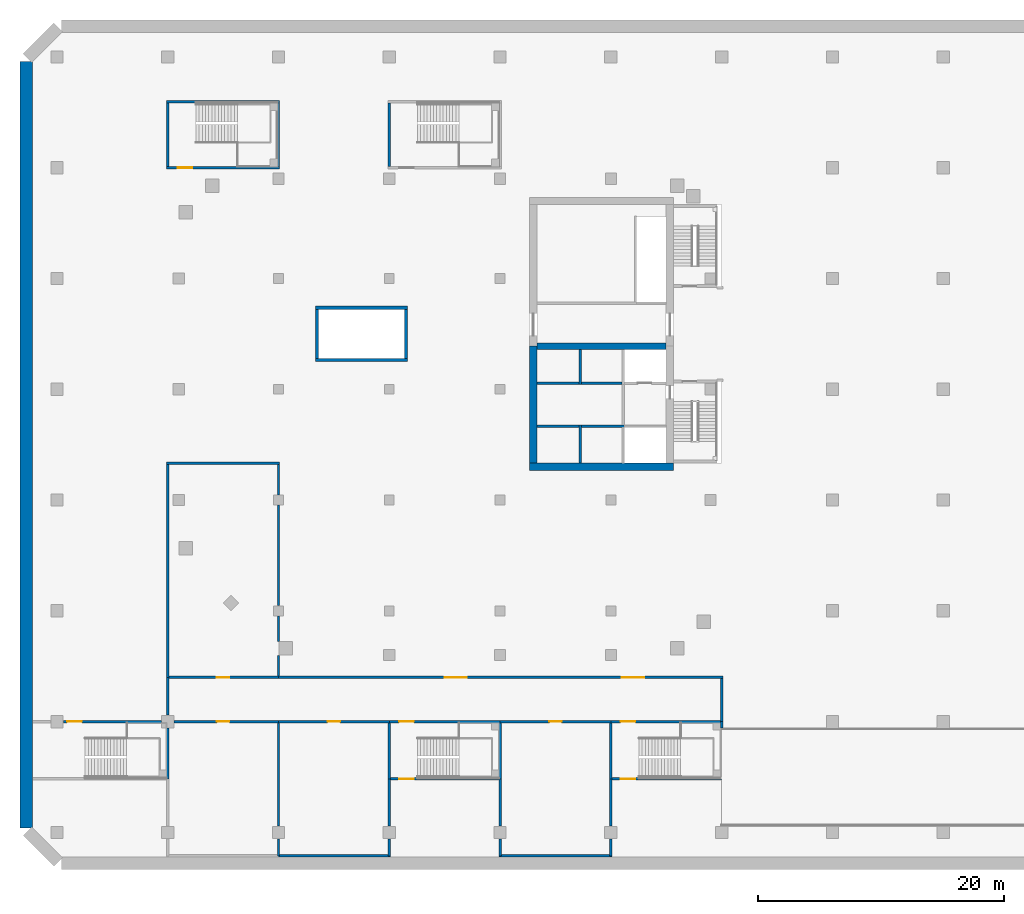
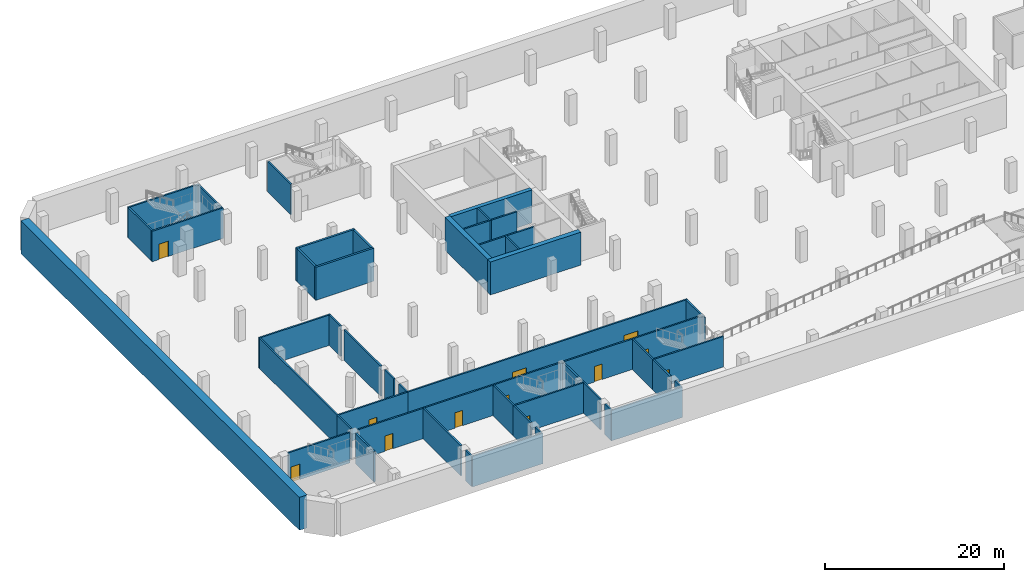
# One storey, part 4 of 16: 52 walls, 12 doors, 12 openings.
"""IFC4 building model written with IfcOpenShell, lengths in metres."""

import ifcopenshell
import ifcopenshell.guid

model = None  # the IFC model being written
_history = None  # IfcOwnerHistory: only IFC2X3 demands one
_inside = {}  # id of a spatial element -> (the spatial element, [elements in it])
_under = {}  # id of a project, library or spatial element -> (it, [spatial elements below it])
_declared = {}  # id of a project -> (the project, [libraries it declares])
_typed = {}  # id of a type object -> (the type object, [elements of that type])
_made_of = {}  # id of a material, layer set ... -> (it, [elements and type objects made of it])


def new_model(schema):
    """Start an empty IFC model of exactly this schema.

    Asked for "IFC4X3", IfcOpenShell would pick the latest addendum, in which some entities
    have other attributes; the version numbers below select the first issue.
    IFC2X3 requires an IfcOwnerHistory on every rooted entity: one is made here for all.
    """
    global model, _history
    if schema == "IFC4X3":
        model = ifcopenshell.file(schema_version=(4, 3, 0, 0))
    else:
        model = ifcopenshell.file(schema=schema)
    _inside.clear()
    _under.clear()
    _declared.clear()
    _typed.clear()
    _made_of.clear()
    _history = None
    if model.schema == "IFC2X3":
        org = make("IfcOrganization", Name="unknown")
        user = make(
            "IfcPersonAndOrganization",
            ThePerson=make("IfcPerson", FamilyName="unknown"),
            TheOrganization=org,
        )
        app = make(
            "IfcApplication",
            ApplicationDeveloper=org,
            Version="unknown",
            ApplicationFullName="unknown",
            ApplicationIdentifier="unknown",
        )
        _history = make(
            "IfcOwnerHistory",
            OwningUser=user,
            OwningApplication=app,
            ChangeAction="ADDED",
            CreationDate=0,
        )
    return model


def make(cls, **values):
    """One entity of the class cls with the attributes given. An attribute that is None is left unset."""
    return model.create_entity(
        cls, **{name: value for name, value in values.items() if value is not None}
    )


def rooted(cls, **values):
    """An entity with a GlobalId (a new one), such as an element, a storey or a relation."""
    return make(cls, GlobalId=ifcopenshell.guid.new(), OwnerHistory=_history, **values)


def si_unit(unit_type, name, prefix=None):
    """IfcSIUnit, for example si_unit("LENGTHUNIT", "METRE", prefix="MILLI")."""
    return make("IfcSIUnit", UnitType=unit_type, Prefix=prefix, Name=name)


def assignment(units):
    """IfcUnitAssignment: the units of a project."""
    return None if units is None else make("IfcUnitAssignment", Units=units)


def point(xyz):
    """IfcCartesianPoint."""
    return None if xyz is None else make("IfcCartesianPoint", Coordinates=xyz)


def direction(xyz):
    """IfcDirection."""
    return None if xyz is None else make("IfcDirection", DirectionRatios=xyz)


def frame(location, z_axis=None, x_axis=None):
    """IfcAxis2Placement3D, a coordinate frame: its origin and axes. An axis left out is left unset."""
    return make(
        "IfcAxis2Placement3D",
        Location=point(location),
        Axis=direction(z_axis),
        RefDirection=direction(x_axis),
    )


def frame_2d(location, x_axis=None):
    """IfcAxis2Placement2D, a coordinate frame in the plane: its origin and x axis."""
    return make(
        "IfcAxis2Placement2D", Location=point(location), RefDirection=direction(x_axis)
    )


def origin():
    """The frame at (0, 0, 0) with its axes left unset."""
    return frame((0.0, 0.0, 0.0))


def place(relative_to, where):
    """IfcLocalPlacement: puts the frame where relative to a parent placement (None: the world)."""
    return make(
        "IfcLocalPlacement", PlacementRelTo=relative_to, RelativePlacement=where
    )


def context(
    kind, dimensions, precision=None, world=None, true_north=None, identifier=None
):
    """IfcGeometricRepresentationContext, for example the 3D "Model" context."""
    return make(
        "IfcGeometricRepresentationContext",
        ContextIdentifier=identifier,
        ContextType=kind,
        CoordinateSpaceDimension=dimensions,
        Precision=precision,
        WorldCoordinateSystem=world,
        TrueNorth=true_north,
    )


def subcontext(parent, identifier, kind, view, scale=None):
    """IfcGeometricRepresentationSubContext, for example "Body" below "Model"."""
    return make(
        "IfcGeometricRepresentationSubContext",
        ContextIdentifier=identifier,
        ContextType=kind,
        ParentContext=parent,
        TargetScale=scale,
        TargetView=view,
    )


def project(units=None, contexts=None):
    """IfcProject with its units and contexts."""
    return rooted(
        "IfcProject",
        Name="project",
        RepresentationContexts=contexts,
        UnitsInContext=assignment(units),
    )


def spatial(cls, under=None, at=None, **own):
    """A site, building, storey or space (cls), placed at a placement, below another one or the project."""
    s = rooted(cls, ObjectPlacement=at, **own)
    if under is not None:
        _under.setdefault(under.id(), (under, []))[1].append(s)
    return s


def profile(cls, at=None, kind="AREA", **sizes):
    """A parametric profile (cls). Its sizes go by their IFC names, for example OverallWidth=200.0."""
    return make(cls, ProfileType=kind, Position=at, **sizes)


def rectangle(**sizes):
    """IfcRectangleProfileDef."""
    return profile("IfcRectangleProfileDef", **sizes)


def extrude(swept, where, along, depth):
    """IfcExtrudedAreaSolid: the profile swept, set in the frame where, extruded along a direction by depth."""
    return make(
        "IfcExtrudedAreaSolid",
        SweptArea=swept,
        Position=where,
        ExtrudedDirection=direction(along),
        Depth=depth,
    )


def shape(context_of_items, identifier, shape_type, items):
    """IfcShapeRepresentation: the items that make up one representation, for example the "Body"."""
    return make(
        "IfcShapeRepresentation",
        ContextOfItems=context_of_items,
        RepresentationIdentifier=identifier,
        RepresentationType=shape_type,
        Items=items,
    )


def material(Name=None, Category=None):
    """IfcMaterial."""
    return make("IfcMaterial", Name=Name, Category=Category)


def layer(
    of_material, thickness, ventilated=None, Name=None, Category=None, Priority=None
):
    """IfcMaterialLayer: one layer of a wall or slab, of a material (None: an air gap)."""
    return make(
        "IfcMaterialLayer",
        Material=of_material,
        LayerThickness=thickness,
        IsVentilated=ventilated,
        Name=Name,
        Category=Category,
        Priority=Priority,
    )


def layer_set(layers, Name=None):
    """IfcMaterialLayerSet."""
    return make("IfcMaterialLayerSet", MaterialLayers=layers, LayerSetName=Name)


def made_of(thing, what):
    """Note that an element or type object is made of a material, layer set ...; save() writes the relation."""
    if what is not None:
        _made_of.setdefault(what.id(), (what, []))[1].append(thing)
    return thing


def type_object(cls, material=None, **own):
    """A type object (cls), such as IfcWallType, which elements share."""
    return made_of(rooted(cls, **own), material)


def element(
    cls,
    number,
    at=None,
    inside=None,
    cuts=None,
    type_object=None,
    material=None,
    context=None,
    identifier="Body",
    shape_type=None,
    held_by="IfcProductDefinitionShape",
    body=None,
    shapes=None,
    **own,
):
    """One element of the class cls, such as IfcWall. Its Tag is "e" and its number.

    at: its placement. inside: the storey or other place that contains it. cuts: it is an
    opening in that element (IfcRelVoidsElement). A single representation is given by context,
    identifier, shape_type and body (its items); several are given by shapes. held_by: the class
    of the entity that holds the representations. save() writes the other relations.
    """
    e = rooted(cls, Tag="e%d" % number, ObjectPlacement=at, **own)
    if body is not None:
        shapes = [shape(context, identifier, shape_type, body)]
    if shapes is not None:
        e.Representation = make(held_by, Representations=shapes)
    if inside is not None:
        _inside.setdefault(inside.id(), (inside, []))[1].append(e)
    if cuts is not None:
        rooted(
            "IfcRelVoidsElement", RelatingBuildingElement=cuts, RelatedOpeningElement=e
        )
    if type_object is not None:
        _typed.setdefault(type_object.id(), (type_object, []))[1].append(e)
    return made_of(e, material)


def fill(opening, filler):
    """IfcRelFillsElement: the door or window that sits in an opening."""
    return rooted(
        "IfcRelFillsElement",
        RelatingOpeningElement=opening,
        RelatedBuildingElement=filler,
    )


def aggregate(whole, parts):
    """IfcRelAggregates: a whole, such as a stair, and the parts it consists of."""
    return rooted("IfcRelAggregates", RelatingObject=whole, RelatedObjects=parts)


def save(model, path):
    """Write the relations noted so far, then the file.

    IfcRelAggregates (storeys below a building ...), IfcRelContainedInSpatialStructure (elements
    in a storey), IfcRelDefinesByType, IfcRelAssociatesMaterial and IfcRelDeclares: one each for
    every whole, place, type object, material and project.
    """
    for whole, parts in _under.values():
        aggregate(whole, parts)
    for where, things in _inside.values():
        rooted(
            "IfcRelContainedInSpatialStructure",
            RelatedElements=things,
            RelatingStructure=where,
        )
    for kind, things in _typed.values():
        rooted("IfcRelDefinesByType", RelatedObjects=things, RelatingType=kind)
    for what, things in _made_of.values():
        rooted("IfcRelAssociatesMaterial", RelatedObjects=things, RelatingMaterial=what)
    for by, libraries in _declared.values():
        rooted("IfcRelDeclares", RelatingContext=by, RelatedDefinitions=libraries)
    model.write(path)


model = new_model("IFC4")

# Units and contexts
model_context = context("Model", 3, precision=1e-05, world=origin(), true_north=direction((0.0, 1.0)))
body_context = subcontext(model_context, "Body", "Model", "MODEL_VIEW")
ifc_project = project(units=[si_unit("LENGTHUNIT", "METRE"), si_unit("AREAUNIT", "SQUARE_METRE"), si_unit("VOLUMEUNIT", "CUBIC_METRE"), si_unit("PLANEANGLEUNIT", "RADIAN"), si_unit("MASSUNIT", "GRAM", prefix="KILO")], contexts=[model_context])

# Site, building, storey
site_placement = place(None, origin())
site = spatial("IfcSite", under=ifc_project, at=site_placement, CompositionType="ELEMENT")
building_placement = place(site_placement, origin())
building = spatial("IfcBuilding", under=site, at=building_placement, Name="Cinnabar Reach Civic Tower", CompositionType="ELEMENT")
storey_placement = place(building_placement, frame((0.0, 0.0, -9.5)))
storey = spatial("IfcBuildingStorey", under=building, at=storey_placement, Name="B2", CompositionType="ELEMENT", Elevation=-9.5)

# Walls
ifc_material_1 = material(Name="Concrete C70", Category="concrete")
ifc_layer_1 = layer(ifc_material_1, 1.0)
ifc_layer_set_1 = layer_set([ifc_layer_1], Name="Basement wall 1000 EI 180")
wall_type_1 = type_object("IfcWallType", Name="Basement wall 1000 EI 180", PredefinedType="SOLIDWALL", material=ifc_layer_set_1)
wall_1_placement = place(storey_placement, frame((-83.5, -8.6408, 0.0), z_axis=(0.0, 0.0, 1.0), x_axis=(0.0, 1.0, 0.0)))
element("IfcWall", 1, at=wall_1_placement, inside=storey, type_object=wall_type_1, Name="Basement wall B2 2", PredefinedType="SOLIDWALL", context=body_context, shape_type="SweptSolid", body=[
    extrude(rectangle(XDim=62.2816, YDim=1.0, at=frame_2d((31.1408, 0.0))), origin(), (0.0, 0.0, 1.0), 4.5),
])
ifc_material_2 = material(Name="Concrete C60", Category="concrete")
ifc_layer_2 = layer(ifc_material_2, 0.5)
ifc_layer_set_2 = layer_set([ifc_layer_2], Name="Core wall 500 EI 180")
wall_type_2 = type_object("IfcWallType", Name="Core wall 500 EI 180", PredefinedType="SOLIDWALL", material=ifc_layer_set_2)
wall_2_placement = place(storey_placement, frame((-42.0, 30.5, 0.0), z_axis=(0.0, 0.0, 1.0), x_axis=(1.0, 0.0, 0.0)))
element("IfcWall", 2, at=wall_2_placement, inside=storey, type_object=wall_type_2, Name="Core spine wall T2 B2", PredefinedType="SOLIDWALL", context=body_context, shape_type="SweptSolid", body=[
    extrude(rectangle(XDim=10.5, YDim=0.5, at=frame_2d((5.25, 0.0))), origin(), (0.0, 0.0, 1.0), 4.5),
])
ifc_layer_3 = layer(ifc_material_1, 0.6)
ifc_layer_set_3 = layer_set([ifc_layer_3], Name="Core wall 600 EI 180")
wall_type_3 = type_object("IfcWallType", Name="Core wall 600 EI 180", PredefinedType="SOLIDWALL", material=ifc_layer_set_3)
wall_3_placement = place(storey_placement, frame((-42.6, 20.7, 0.0), z_axis=(0.0, 0.0, 1.0), x_axis=(1.0, 0.0, 0.0)))
element("IfcWall", 3, at=wall_3_placement, inside=storey, type_object=wall_type_3, Name="Core wall T2 B2 S", PredefinedType="SOLIDWALL", context=body_context, shape_type="SweptSolid", body=[
    extrude(rectangle(XDim=11.7, YDim=0.6, at=frame_2d((5.85, 0.0))), origin(), (0.0, 0.0, 1.0), 4.5),
])
wall_4_placement = place(storey_placement, frame((-42.3, 30.5, 0.0), z_axis=(0.0, 0.0, 1.0), x_axis=(0.0, -1.0, 0.0)))
element("IfcWall", 4, at=wall_4_placement, inside=storey, type_object=wall_type_3, Name="Core wall T2 B2 W2", PredefinedType="SOLIDWALL", context=body_context, shape_type="SweptSolid", body=[
    extrude(rectangle(XDim=9.5, YDim=0.6, at=frame_2d((4.75, 0.0))), origin(), (0.0, 0.0, 1.0), 4.5),
])

# Wall, opening, door
ifc_material_3 = material(Name="Concrete blockwork", Category="masonry")
ifc_layer_4 = layer(ifc_material_3, 0.2)
ifc_layer_set_4 = layer_set([ifc_layer_4], Name="Podium masonry corridor wall 200 EI 120")
wall_type_4 = type_object("IfcWallType", Name="Podium masonry corridor wall 200 EI 120", PredefinedType="PARTITIONING", material=ifc_layer_set_4)
wall_5_placement = place(storey_placement, frame((-71.48, 0.0, 0.0), z_axis=(0.0, 0.0, 1.0), x_axis=(1.0, 0.0, 0.0)))
wall_5 = element("IfcWall", 5, at=wall_5_placement, inside=storey, type_object=wall_type_4, Name="Wall B2 37", PredefinedType="PARTITIONING", context=body_context, shape_type="SweptSolid", body=[
    extrude(rectangle(XDim=8.48, YDim=0.2, at=frame_2d((4.24, 0.0))), origin(), (0.0, 0.0, 1.0), 4.15),
])
opening_1_placement = place(wall_5_placement, frame((3.48, 0.0, 0.0)))
opening_1 = element("IfcOpeningElement", 6, at=opening_1_placement, cuts=wall_5, Name="Opening D1317", PredefinedType="OPENING", context=body_context, shape_type="SweptSolid", body=[
    extrude(rectangle(XDim=1.0, YDim=2.1, at=frame_2d((0.5, 1.05))), frame((0.0, 0.11, 0.0), z_axis=(0.0, -1.0, 0.0), x_axis=(1.0, 0.0, 0.0)), (0.0, 0.0, 1.0), 0.22),
])
ifc_material_4 = material(Name="Painted steel door leaf", Category="steel")
door_type_1 = type_object("IfcDoorType", Name="Podium single door 1000x2100", OperationType="SINGLE_SWING_LEFT", PredefinedType="DOOR", material=ifc_material_4)
door_1_placement = place(opening_1_placement, frame((1.0, 0.0, 0.0), z_axis=(0.0, 0.0, 1.0), x_axis=(-1.0, 0.0, 0.0)))
door_1 = element("IfcDoor", 7, at=door_1_placement, inside=storey, type_object=door_type_1, Name="Door D1317", OperationType="SINGLE_SWING_RIGHT", OverallHeight=2.1, OverallWidth=1.0, PredefinedType="DOOR", context=body_context, shape_type="SweptSolid", body=[
    extrude(rectangle(XDim=1.0, YDim=2.1, at=frame_2d((0.5, 1.05))), frame((0.0, 0.025, 0.0), z_axis=(0.0, -1.0, 0.0), x_axis=(1.0, 0.0, 0.0)), (0.0, 0.0, 1.0), 0.05),
])
fill(opening_1, door_1)

wall_6_placement = place(storey_placement, frame((-63.0, 0.0, 0.0), z_axis=(0.0, 0.0, 1.0), x_axis=(1.0, 0.0, 0.0)))
wall_6 = element("IfcWall", 8, at=wall_6_placement, inside=storey, type_object=wall_type_4, Name="Wall B2 38", PredefinedType="PARTITIONING", context=body_context, shape_type="SweptSolid", body=[
    extrude(rectangle(XDim=9.0, YDim=0.2, at=frame_2d((4.5, 0.0))), origin(), (0.0, 0.0, 1.0), 4.15),
])
opening_2_placement = place(wall_6_placement, frame((4.0, 0.0, 0.0)))
opening_2 = element("IfcOpeningElement", 9, at=opening_2_placement, cuts=wall_6, Name="Opening D1318", PredefinedType="OPENING", context=body_context, shape_type="SweptSolid", body=[
    extrude(rectangle(XDim=1.0, YDim=2.1, at=frame_2d((0.5, 1.05))), frame((0.0, 0.11, 0.0), z_axis=(0.0, -1.0, 0.0), x_axis=(1.0, 0.0, 0.0)), (0.0, 0.0, 1.0), 0.22),
])
door_2_placement = place(opening_2_placement, frame((1.0, 0.0, 0.0), z_axis=(0.0, 0.0, 1.0), x_axis=(-1.0, 0.0, 0.0)))
door_2 = element("IfcDoor", 10, at=door_2_placement, inside=storey, type_object=door_type_1, Name="Door D1318", OperationType="SINGLE_SWING_LEFT", OverallHeight=2.1, OverallWidth=1.0, PredefinedType="DOOR", context=body_context, shape_type="SweptSolid", body=[
    extrude(rectangle(XDim=1.0, YDim=2.1, at=frame_2d((0.5, 1.05))), frame((0.0, 0.025, 0.0), z_axis=(0.0, -1.0, 0.0), x_axis=(1.0, 0.0, 0.0)), (0.0, 0.0, 1.0), 0.05),
])
fill(opening_2, door_2)

wall_7_placement = place(storey_placement, frame((-45.0, 0.0, 0.0), z_axis=(0.0, 0.0, 1.0), x_axis=(1.0, 0.0, 0.0)))
wall_7 = element("IfcWall", 11, at=wall_7_placement, inside=storey, type_object=wall_type_4, Name="Wall B2 39", PredefinedType="PARTITIONING", context=body_context, shape_type="SweptSolid", body=[
    extrude(rectangle(XDim=9.0, YDim=0.2, at=frame_2d((4.5, 0.0))), origin(), (0.0, 0.0, 1.0), 4.15),
])
opening_3_placement = place(wall_7_placement, frame((4.0, 0.0, 0.0)))
opening_3 = element("IfcOpeningElement", 12, at=opening_3_placement, cuts=wall_7, Name="Opening D1319", PredefinedType="OPENING", context=body_context, shape_type="SweptSolid", body=[
    extrude(rectangle(XDim=1.0, YDim=2.1, at=frame_2d((0.5, 1.05))), frame((0.0, 0.11, 0.0), z_axis=(0.0, -1.0, 0.0), x_axis=(1.0, 0.0, 0.0)), (0.0, 0.0, 1.0), 0.22),
])
door_3_placement = place(opening_3_placement, frame((1.0, 0.0, 0.0), z_axis=(0.0, 0.0, 1.0), x_axis=(-1.0, 0.0, 0.0)))
door_3 = element("IfcDoor", 13, at=door_3_placement, inside=storey, type_object=door_type_1, Name="Door D1319", OperationType="SINGLE_SWING_RIGHT", OverallHeight=2.1, OverallWidth=1.0, PredefinedType="DOOR", context=body_context, shape_type="SweptSolid", body=[
    extrude(rectangle(XDim=1.0, YDim=2.1, at=frame_2d((0.5, 1.05))), frame((0.0, 0.025, 0.0), z_axis=(0.0, -1.0, 0.0), x_axis=(1.0, 0.0, 0.0)), (0.0, 0.0, 1.0), 0.05),
])
fill(opening_3, door_3)

wall_8_placement = place(storey_placement, frame((-71.9, 3.6, 0.0), z_axis=(0.0, 0.0, 1.0), x_axis=(1.0, 0.0, 0.0)))
wall_8 = element("IfcWall", 14, at=wall_8_placement, inside=storey, type_object=wall_type_4, Name="Wall B2 40", PredefinedType="PARTITIONING", context=body_context, shape_type="SweptSolid", body=[
    extrude(rectangle(XDim=8.9, YDim=0.2, at=frame_2d((4.45, 0.0))), origin(), (0.0, 0.0, 1.0), 4.15),
])
opening_4_placement = place(wall_8_placement, frame((3.9, 0.0, 0.0)))
opening_4 = element("IfcOpeningElement", 15, at=opening_4_placement, cuts=wall_8, Name="Opening D1320", PredefinedType="OPENING", context=body_context, shape_type="SweptSolid", body=[
    extrude(rectangle(XDim=1.0, YDim=2.1, at=frame_2d((0.5, 1.05))), frame((0.0, 0.11, 0.0), z_axis=(0.0, -1.0, 0.0), x_axis=(1.0, 0.0, 0.0)), (0.0, 0.0, 1.0), 0.22),
])
door_4_placement = place(opening_4_placement, origin())
door_4 = element("IfcDoor", 16, at=door_4_placement, inside=storey, type_object=door_type_1, Name="Door D1320", OperationType="SINGLE_SWING_RIGHT", OverallHeight=2.1, OverallWidth=1.0, PredefinedType="DOOR", context=body_context, shape_type="SweptSolid", body=[
    extrude(rectangle(XDim=1.0, YDim=2.1, at=frame_2d((0.5, 1.05))), frame((0.0, 0.025, 0.0), z_axis=(0.0, -1.0, 0.0), x_axis=(1.0, 0.0, 0.0)), (0.0, 0.0, 1.0), 0.05),
])
fill(opening_4, door_4)

# Wall, openings, doors
wall_9_placement = place(storey_placement, frame((-63.0, 3.6, 0.0), z_axis=(0.0, 0.0, 1.0), x_axis=(1.0, 0.0, 0.0)))
wall_9 = element("IfcWall", 17, at=wall_9_placement, inside=storey, type_object=wall_type_4, Name="Wall B2 41", PredefinedType="PARTITIONING", context=body_context, shape_type="SweptSolid", body=[
    extrude(rectangle(XDim=36.1, YDim=0.2, at=frame_2d((18.05, 0.0))), origin(), (0.0, 0.0, 1.0), 4.15),
])
opening_5_placement = place(wall_9_placement, frame((13.5, 0.0, 0.0)))
opening_5 = element("IfcOpeningElement", 18, at=opening_5_placement, cuts=wall_9, Name="Opening D1313", PredefinedType="OPENING", context=body_context, shape_type="SweptSolid", body=[
    extrude(rectangle(XDim=1.8, YDim=2.1, at=frame_2d((0.9, 1.05))), frame((0.0, 0.11, 0.0), z_axis=(0.0, -1.0, 0.0), x_axis=(1.0, 0.0, 0.0)), (0.0, 0.0, 1.0), 0.22),
])
opening_6_placement = place(wall_9_placement, frame((27.9, 0.0, 0.0)))
opening_6 = element("IfcOpeningElement", 19, at=opening_6_placement, cuts=wall_9, Name="Opening D1314", PredefinedType="OPENING", context=body_context, shape_type="SweptSolid", body=[
    extrude(rectangle(XDim=1.8, YDim=2.1, at=frame_2d((0.9, 1.05))), frame((0.0, 0.11, 0.0), z_axis=(0.0, -1.0, 0.0), x_axis=(1.0, 0.0, 0.0)), (0.0, 0.0, 1.0), 0.22),
])
door_type_2 = type_object("IfcDoorType", Name="Podium double door 1800x2100", OperationType="DOUBLE_DOOR_SINGLE_SWING", PredefinedType="DOOR", material=ifc_material_4)
door_5_placement = place(opening_5_placement, origin())
door_5 = element("IfcDoor", 20, at=door_5_placement, inside=storey, type_object=door_type_2, Name="Door D1313", OperationType="DOUBLE_DOOR_SINGLE_SWING", OverallHeight=2.1, OverallWidth=1.8, PredefinedType="DOOR", context=body_context, shape_type="SweptSolid", body=[
    extrude(rectangle(XDim=1.8, YDim=2.1, at=frame_2d((0.9, 1.05))), frame((0.0, 0.025, 0.0), z_axis=(0.0, -1.0, 0.0), x_axis=(1.0, 0.0, 0.0)), (0.0, 0.0, 1.0), 0.05),
])
fill(opening_5, door_5)
door_6_placement = place(opening_6_placement, origin())
door_6 = element("IfcDoor", 21, at=door_6_placement, inside=storey, type_object=door_type_2, Name="Door D1314", OperationType="DOUBLE_DOOR_SINGLE_SWING", OverallHeight=2.1, OverallWidth=1.8, PredefinedType="DOOR", context=body_context, shape_type="SweptSolid", body=[
    extrude(rectangle(XDim=1.8, YDim=2.1, at=frame_2d((0.9, 1.05))), frame((0.0, 0.025, 0.0), z_axis=(0.0, -1.0, 0.0), x_axis=(1.0, 0.0, 0.0)), (0.0, 0.0, 1.0), 0.05),
])
fill(opening_6, door_6)

# Walls
wall_10_placement = place(storey_placement, frame((-27.0, 0.0, 0.0), z_axis=(0.0, 0.0, 1.0), x_axis=(0.0, 1.0, 0.0)))
element("IfcWall", 22, at=wall_10_placement, inside=storey, type_object=wall_type_4, Name="Wall B2 42", PredefinedType="PARTITIONING", context=body_context, shape_type="SweptSolid", body=[
    extrude(rectangle(XDim=3.5, YDim=0.2, at=frame_2d((1.75, 0.0))), origin(), (0.0, 0.0, 1.0), 4.15),
])
wall_11_placement = place(storey_placement, frame((-72.0, 0.52, 0.0), z_axis=(0.0, 0.0, 1.0), x_axis=(0.0, 1.0, 0.0)))
element("IfcWall", 23, at=wall_11_placement, inside=storey, type_object=wall_type_4, Name="Wall B2 43", PredefinedType="PARTITIONING", context=body_context, shape_type="SweptSolid", body=[
    extrude(rectangle(XDim=3.08, YDim=0.2, at=frame_2d((1.54, 0.0))), origin(), (0.0, 0.0, 1.0), 4.15),
])
wall_12_placement = place(storey_placement, frame((-63.0, -10.9, 0.0), z_axis=(0.0, 0.0, 1.0), x_axis=(0.0, 1.0, 0.0)))
element("IfcWall", 24, at=wall_12_placement, inside=storey, type_object=wall_type_4, Name="Wall B2 44", PredefinedType="PARTITIONING", context=body_context, shape_type="SweptSolid", body=[
    extrude(rectangle(XDim=1.38, YDim=0.2, at=frame_2d((0.69, 0.0))), origin(), (0.0, 0.0, 1.0), 4.15),
])
wall_13_placement = place(storey_placement, frame((-63.0, -8.48, 0.0), z_axis=(0.0, 0.0, 1.0), x_axis=(0.0, 1.0, 0.0)))
element("IfcWall", 25, at=wall_13_placement, inside=storey, type_object=wall_type_4, Name="Wall B2 45", PredefinedType="PARTITIONING", context=body_context, shape_type="SweptSolid", body=[
    extrude(rectangle(XDim=8.38, YDim=0.2, at=frame_2d((4.19, 0.0))), origin(), (0.0, 0.0, 1.0), 4.15),
])
wall_14_placement = place(storey_placement, frame((-54.0, -10.9, 0.0), z_axis=(0.0, 0.0, 1.0), x_axis=(0.0, 1.0, 0.0)))
element("IfcWall", 26, at=wall_14_placement, inside=storey, type_object=wall_type_4, Name="Wall B2 49", PredefinedType="PARTITIONING", context=body_context, shape_type="SweptSolid", body=[
    extrude(rectangle(XDim=1.38, YDim=0.2, at=frame_2d((0.69, 0.0))), origin(), (0.0, 0.0, 1.0), 4.15),
])
wall_15_placement = place(storey_placement, frame((-54.0, -8.48, 0.0), z_axis=(0.0, 0.0, 1.0), x_axis=(0.0, 1.0, 0.0)))
element("IfcWall", 27, at=wall_15_placement, inside=storey, type_object=wall_type_4, Name="Wall B2 50", PredefinedType="PARTITIONING", context=body_context, shape_type="SweptSolid", body=[
    extrude(rectangle(XDim=3.83, YDim=0.2, at=frame_2d((1.915, 0.0))), origin(), (0.0, 0.0, 1.0), 4.15),
])
wall_16_placement = place(storey_placement, frame((-63.0, -10.9, 0.0), z_axis=(0.0, 0.0, 1.0), x_axis=(1.0, 0.0, 0.0)))
element("IfcWall", 28, at=wall_16_placement, inside=storey, type_object=wall_type_4, Name="Wall B2 51", PredefinedType="PARTITIONING", context=body_context, shape_type="SweptSolid", body=[
    extrude(rectangle(XDim=9.1, YDim=0.2, at=frame_2d((4.55, 0.0))), origin(), (0.0, 0.0, 1.0), 4.15),
])
wall_17_placement = place(storey_placement, frame((-36.0, -10.9, 0.0), z_axis=(0.0, 0.0, 1.0), x_axis=(0.0, 1.0, 0.0)))
element("IfcWall", 29, at=wall_17_placement, inside=storey, type_object=wall_type_4, Name="Wall B2 52", PredefinedType="PARTITIONING", context=body_context, shape_type="SweptSolid", body=[
    extrude(rectangle(XDim=1.38, YDim=0.2, at=frame_2d((0.69, 0.0))), origin(), (0.0, 0.0, 1.0), 4.15),
])
wall_18_placement = place(storey_placement, frame((-36.0, -8.48, 0.0), z_axis=(0.0, 0.0, 1.0), x_axis=(0.0, 1.0, 0.0)))
element("IfcWall", 30, at=wall_18_placement, inside=storey, type_object=wall_type_4, Name="Wall B2 53", PredefinedType="PARTITIONING", context=body_context, shape_type="SweptSolid", body=[
    extrude(rectangle(XDim=3.83, YDim=0.2, at=frame_2d((1.915, 0.0))), origin(), (0.0, 0.0, 1.0), 4.15),
])
wall_19_placement = place(storey_placement, frame((-45.1, -10.9, 0.0), z_axis=(0.0, 0.0, 1.0), x_axis=(1.0, 0.0, 0.0)))
element("IfcWall", 31, at=wall_19_placement, inside=storey, type_object=wall_type_4, Name="Wall B2 54", PredefinedType="PARTITIONING", context=body_context, shape_type="SweptSolid", body=[
    extrude(rectangle(XDim=9.2, YDim=0.2, at=frame_2d((4.6, 0.0))), origin(), (0.0, 0.0, 1.0), 4.15),
])
wall_20_placement = place(storey_placement, frame((-45.0, -10.9, 0.0), z_axis=(0.0, 0.0, 1.0), x_axis=(0.0, 1.0, 0.0)))
element("IfcWall", 32, at=wall_20_placement, inside=storey, type_object=wall_type_4, Name="Wall B2 55", PredefinedType="PARTITIONING", context=body_context, shape_type="SweptSolid", body=[
    extrude(rectangle(XDim=1.38, YDim=0.2, at=frame_2d((0.69, 0.0))), origin(), (0.0, 0.0, 1.0), 4.15),
])
wall_21_placement = place(storey_placement, frame((-45.0, -8.48, 0.0), z_axis=(0.0, 0.0, 1.0), x_axis=(0.0, 1.0, 0.0)))
element("IfcWall", 33, at=wall_21_placement, inside=storey, type_object=wall_type_4, Name="Wall B2 56", PredefinedType="PARTITIONING", context=body_context, shape_type="SweptSolid", body=[
    extrude(rectangle(XDim=3.83, YDim=0.2, at=frame_2d((1.915, 0.0))), origin(), (0.0, 0.0, 1.0), 4.15),
])
wall_22_placement = place(storey_placement, frame((-72.1, 21.0, 0.0), z_axis=(0.0, 0.0, 1.0), x_axis=(1.0, 0.0, 0.0)))
element("IfcWall", 34, at=wall_22_placement, inside=storey, type_object=wall_type_4, Name="Wall B2 57", PredefinedType="PARTITIONING", context=body_context, shape_type="SweptSolid", body=[
    extrude(rectangle(XDim=9.2, YDim=0.2, at=frame_2d((4.6, 0.0))), origin(), (0.0, 0.0, 1.0), 4.15),
])
wall_23_placement = place(storey_placement, frame((-63.0, 3.7, 0.0), z_axis=(0.0, 0.0, 1.0), x_axis=(0.0, 1.0, 0.0)))
element("IfcWall", 35, at=wall_23_placement, inside=storey, type_object=wall_type_4, Name="Wall B2 58", PredefinedType="PARTITIONING", context=body_context, shape_type="SweptSolid", body=[
    extrude(rectangle(XDim=1.6831, YDim=0.2, at=frame_2d((0.8416, 0.0))), origin(), (0.0, 0.0, 1.0), 4.15),
])
wall_24_placement = place(storey_placement, frame((-63.0, 6.5231, 0.0), z_axis=(0.0, 0.0, 1.0), x_axis=(0.0, 1.0, 0.0)))
element("IfcWall", 36, at=wall_24_placement, inside=storey, type_object=wall_type_4, Name="Wall B2 59", PredefinedType="PARTITIONING", context=body_context, shape_type="SweptSolid", body=[
    extrude(rectangle(XDim=2.0569, YDim=0.2, at=frame_2d((1.0285, 0.0))), origin(), (0.0, 0.0, 1.0), 4.15),
])
wall_25_placement = place(storey_placement, frame((-63.0, 9.42, 0.0), z_axis=(0.0, 0.0, 1.0), x_axis=(0.0, 1.0, 0.0)))
element("IfcWall", 37, at=wall_25_placement, inside=storey, type_object=wall_type_4, Name="Wall B2 60", PredefinedType="PARTITIONING", context=body_context, shape_type="SweptSolid", body=[
    extrude(rectangle(XDim=8.16, YDim=0.2, at=frame_2d((4.08, 0.0))), origin(), (0.0, 0.0, 1.0), 4.15),
])
wall_26_placement = place(storey_placement, frame((-63.0, 18.42, 0.0), z_axis=(0.0, 0.0, 1.0), x_axis=(0.0, 1.0, 0.0)))
element("IfcWall", 38, at=wall_26_placement, inside=storey, type_object=wall_type_4, Name="Wall B2 61", PredefinedType="PARTITIONING", context=body_context, shape_type="SweptSolid", body=[
    extrude(rectangle(XDim=2.48, YDim=0.2, at=frame_2d((1.24, 0.0))), origin(), (0.0, 0.0, 1.0), 4.15),
])
wall_27_placement = place(storey_placement, frame((-72.0, 3.6, 0.0), z_axis=(0.0, 0.0, 1.0), x_axis=(0.0, 1.0, 0.0)))
element("IfcWall", 39, at=wall_27_placement, inside=storey, type_object=wall_type_4, Name="Wall B2 62", PredefinedType="PARTITIONING", context=body_context, shape_type="SweptSolid", body=[
    extrude(rectangle(XDim=17.3, YDim=0.2, at=frame_2d((8.65, 0.0))), origin(), (0.0, 0.0, 1.0), 4.15),
])
ifc_material_5 = material(Name="Concrete C40", Category="concrete")
ifc_layer_5 = layer(ifc_material_5, 0.2)
ifc_layer_set_5 = layer_set([ifc_layer_5], Name="Podium stair shaft wall 200 EI 120")
wall_type_5 = type_object("IfcWallType", Name="Podium stair shaft wall 200 EI 120", PredefinedType="SOLIDWALL", material=ifc_layer_set_5)
wall_28_placement = place(storey_placement, frame((-72.0, -4.65, 0.0), z_axis=(0.0, 0.0, 1.0), x_axis=(0.0, 1.0, 0.0)))
element("IfcWall", 40, at=wall_28_placement, inside=storey, type_object=wall_type_5, Name="Wall B2 1", PredefinedType="SOLIDWALL", context=body_context, shape_type="SweptSolid", body=[
    extrude(rectangle(XDim=4.13, YDim=0.2, at=frame_2d((2.065, 0.0))), origin(), (0.0, 0.0, 1.0), 4.15),
])

# Wall, opening, door
wall_29_placement = place(storey_placement, frame((-80.48, 0.0, 0.0), z_axis=(0.0, 0.0, 1.0), x_axis=(1.0, 0.0, 0.0)))
wall_29 = element("IfcWall", 41, at=wall_29_placement, inside=storey, type_object=wall_type_5, Name="Wall B2 4", PredefinedType="SOLIDWALL", context=body_context, shape_type="SweptSolid", body=[
    extrude(rectangle(XDim=7.96, YDim=0.2, at=frame_2d((3.98, 0.0))), origin(), (0.0, 0.0, 1.0), 4.15),
])
opening_7_placement = place(wall_29_placement, frame((0.3, 0.0, 0.0)))
opening_7 = element("IfcOpeningElement", 42, at=opening_7_placement, cuts=wall_29, Name="Opening D1304", PredefinedType="OPENING", context=body_context, shape_type="SweptSolid", body=[
    extrude(rectangle(XDim=1.2, YDim=2.1, at=frame_2d((0.6, 1.05))), frame((0.0, 0.11, 0.0), z_axis=(0.0, -1.0, 0.0), x_axis=(1.0, 0.0, 0.0)), (0.0, 0.0, 1.0), 0.22),
])
door_type_3 = type_object("IfcDoorType", Name="Podium single door 1200x2100", OperationType="SINGLE_SWING_LEFT", PredefinedType="DOOR", material=ifc_material_4)
door_7_placement = place(opening_7_placement, frame((1.2, 0.0, 0.0), z_axis=(0.0, 0.0, 1.0), x_axis=(-1.0, 0.0, 0.0)))
door_7 = element("IfcDoor", 43, at=door_7_placement, inside=storey, type_object=door_type_3, Name="Door D1304", OperationType="SINGLE_SWING_RIGHT", OverallHeight=2.1, OverallWidth=1.2, PredefinedType="DOOR", context=body_context, shape_type="SweptSolid", body=[
    extrude(rectangle(XDim=1.2, YDim=2.1, at=frame_2d((0.6, 1.05))), frame((0.0, 0.025, 0.0), z_axis=(0.0, -1.0, 0.0), x_axis=(1.0, 0.0, 0.0)), (0.0, 0.0, 1.0), 0.05),
])
fill(opening_7, door_7)

# Walls
wall_30_placement = place(storey_placement, frame((-72.1, 50.35, 0.0), z_axis=(0.0, 0.0, 1.0), x_axis=(1.0, 0.0, 0.0)))
element("IfcWall", 44, at=wall_30_placement, inside=storey, type_object=wall_type_5, Name="Wall B2 5", PredefinedType="SOLIDWALL", context=body_context, shape_type="SweptSolid", body=[
    extrude(rectangle(XDim=9.2, YDim=0.2, at=frame_2d((4.6, 0.0))), origin(), (0.0, 0.0, 1.0), 4.15),
])
wall_31_placement = place(storey_placement, frame((-63.0, 45.1, 0.0), z_axis=(0.0, 0.0, 1.0), x_axis=(0.0, 1.0, 0.0)))
element("IfcWall", 45, at=wall_31_placement, inside=storey, type_object=wall_type_5, Name="Wall B2 6", PredefinedType="SOLIDWALL", context=body_context, shape_type="SweptSolid", body=[
    extrude(rectangle(XDim=5.15, YDim=0.2, at=frame_2d((2.575, 0.0))), origin(), (0.0, 0.0, 1.0), 4.15),
])

# Wall, opening, door
wall_32_placement = place(storey_placement, frame((-72.1, 45.0, 0.0), z_axis=(0.0, 0.0, 1.0), x_axis=(1.0, 0.0, 0.0)))
wall_32 = element("IfcWall", 46, at=wall_32_placement, inside=storey, type_object=wall_type_5, Name="Wall B2 7", PredefinedType="SOLIDWALL", context=body_context, shape_type="SweptSolid", body=[
    extrude(rectangle(XDim=9.2, YDim=0.2, at=frame_2d((4.6, 0.0))), origin(), (0.0, 0.0, 1.0), 4.15),
])
opening_8_placement = place(wall_32_placement, frame((0.9, 0.0, 0.0)))
opening_8 = element("IfcOpeningElement", 47, at=opening_8_placement, cuts=wall_32, Name="Opening D1305", PredefinedType="OPENING", context=body_context, shape_type="SweptSolid", body=[
    extrude(rectangle(XDim=1.2, YDim=2.1, at=frame_2d((0.6, 1.05))), frame((0.0, 0.11, 0.0), z_axis=(0.0, -1.0, 0.0), x_axis=(1.0, 0.0, 0.0)), (0.0, 0.0, 1.0), 0.22),
])
door_8_placement = place(opening_8_placement, origin())
door_8 = element("IfcDoor", 48, at=door_8_placement, inside=storey, type_object=door_type_3, Name="Door D1305", OperationType="SINGLE_SWING_RIGHT", OverallHeight=2.1, OverallWidth=1.2, PredefinedType="DOOR", context=body_context, shape_type="SweptSolid", body=[
    extrude(rectangle(XDim=1.2, YDim=2.1, at=frame_2d((0.6, 1.05))), frame((0.0, 0.025, 0.0), z_axis=(0.0, -1.0, 0.0), x_axis=(1.0, 0.0, 0.0)), (0.0, 0.0, 1.0), 0.05),
])
fill(opening_8, door_8)

# Walls
for number, where, z_axis, x_axis, name in (
    (49, (-72.0, 45.1, 0.0), (0.0, 0.0, 1.0), (0.0, 1.0, 0.0), "Wall B2 8"),
    (50, (-54.0, 45.1, 0.0), (0.0, 0.0, 1.0), (0.0, 1.0, 0.0), "Wall B2 28"),
):
    element("IfcWall", number, at=place(storey_placement, frame(where, z_axis=z_axis, x_axis=x_axis)), inside=storey, type_object=wall_type_5, Name=name, PredefinedType="SOLIDWALL", context=body_context, shape_type="SweptSolid", body=[
        extrude(rectangle(XDim=5.15, YDim=0.2, at=frame_2d((2.575, 0.0))), origin(), (0.0, 0.0, 1.0), 4.15),
    ])

# Wall, opening, door
wall_33_placement = place(storey_placement, frame((-54.0, 0.0, 0.0), z_axis=(0.0, 0.0, 1.0), x_axis=(1.0, 0.0, 0.0)))
wall_33 = element("IfcWall", 51, at=wall_33_placement, inside=storey, type_object=wall_type_5, Name="Wall B2 29", PredefinedType="SOLIDWALL", context=body_context, shape_type="SweptSolid", body=[
    extrude(rectangle(XDim=9.0, YDim=0.2, at=frame_2d((4.5, 0.0))), origin(), (0.0, 0.0, 1.0), 4.15),
])
opening_9_placement = place(wall_33_placement, frame((0.8, 0.0, 0.0)))
opening_9 = element("IfcOpeningElement", 52, at=opening_9_placement, cuts=wall_33, Name="Opening D1315", PredefinedType="OPENING", context=body_context, shape_type="SweptSolid", body=[
    extrude(rectangle(XDim=1.2, YDim=2.1, at=frame_2d((0.6, 1.05))), frame((0.0, 0.11, 0.0), z_axis=(0.0, -1.0, 0.0), x_axis=(1.0, 0.0, 0.0)), (0.0, 0.0, 1.0), 0.22),
])
door_9_placement = place(opening_9_placement, frame((1.2, 0.0, 0.0), z_axis=(0.0, 0.0, 1.0), x_axis=(-1.0, 0.0, 0.0)))
door_9 = element("IfcDoor", 53, at=door_9_placement, inside=storey, type_object=door_type_3, Name="Door D1315", OperationType="SINGLE_SWING_LEFT", OverallHeight=2.1, OverallWidth=1.2, PredefinedType="DOOR", context=body_context, shape_type="SweptSolid", body=[
    extrude(rectangle(XDim=1.2, YDim=2.1, at=frame_2d((0.6, 1.05))), frame((0.0, 0.025, 0.0), z_axis=(0.0, -1.0, 0.0), x_axis=(1.0, 0.0, 0.0)), (0.0, 0.0, 1.0), 0.05),
])
fill(opening_9, door_9)

# Walls
for number, where, z_axis, x_axis, name in (
    (54, (-54.0, -4.65, 0.0), (0.0, 0.0, 1.0), (0.0, 1.0, 0.0), "Wall B2 30"),
    (55, (-45.0, -4.65, 0.0), (0.0, 0.0, 1.0), (0.0, 1.0, 0.0), "Wall B2 31"),
):
    element("IfcWall", number, at=place(storey_placement, frame(where, z_axis=z_axis, x_axis=x_axis)), inside=storey, type_object=wall_type_5, Name=name, PredefinedType="SOLIDWALL", context=body_context, shape_type="SweptSolid", body=[
        extrude(rectangle(XDim=4.55, YDim=0.2, at=frame_2d((2.275, 0.0))), origin(), (0.0, 0.0, 1.0), 4.15),
    ])

# Wall, opening, door
wall_34_placement = place(storey_placement, frame((-53.9, -4.65, 0.0), z_axis=(0.0, 0.0, 1.0), x_axis=(1.0, 0.0, 0.0)))
wall_34 = element("IfcWall", 56, at=wall_34_placement, inside=storey, type_object=wall_type_5, Name="Wall B2 32", PredefinedType="SOLIDWALL", context=body_context, shape_type="SweptSolid", body=[
    extrude(rectangle(XDim=8.8, YDim=0.2, at=frame_2d((4.4, 0.0))), origin(), (0.0, 0.0, 1.0), 4.15),
])
opening_10_placement = place(wall_34_placement, frame((0.7, 0.0, 0.0)))
opening_10 = element("IfcOpeningElement", 57, at=opening_10_placement, cuts=wall_34, Name="Opening D1311", PredefinedType="OPENING", context=body_context, shape_type="SweptSolid", body=[
    extrude(rectangle(XDim=1.2, YDim=2.1, at=frame_2d((0.6, 1.05))), frame((0.0, 0.11, 0.0), z_axis=(0.0, -1.0, 0.0), x_axis=(1.0, 0.0, 0.0)), (0.0, 0.0, 1.0), 0.22),
])
door_10_placement = place(opening_10_placement, origin())
door_10 = element("IfcDoor", 58, at=door_10_placement, inside=storey, type_object=door_type_3, Name="Door D1311", OperationType="SINGLE_SWING_RIGHT", OverallHeight=2.1, OverallWidth=1.2, PredefinedType="DOOR", context=body_context, shape_type="SweptSolid", body=[
    extrude(rectangle(XDim=1.2, YDim=2.1, at=frame_2d((0.6, 1.05))), frame((0.0, 0.025, 0.0), z_axis=(0.0, -1.0, 0.0), x_axis=(1.0, 0.0, 0.0)), (0.0, 0.0, 1.0), 0.05),
])
fill(opening_10, door_10)

wall_35_placement = place(storey_placement, frame((-36.0, 0.0, 0.0), z_axis=(0.0, 0.0, 1.0), x_axis=(1.0, 0.0, 0.0)))
wall_35 = element("IfcWall", 59, at=wall_35_placement, inside=storey, type_object=wall_type_5, Name="Wall B2 33", PredefinedType="SOLIDWALL", context=body_context, shape_type="SweptSolid", body=[
    extrude(rectangle(XDim=8.9, YDim=0.2, at=frame_2d((4.45, 0.0))), origin(), (0.0, 0.0, 1.0), 4.15),
])
opening_11_placement = place(wall_35_placement, frame((0.8, 0.0, 0.0)))
opening_11 = element("IfcOpeningElement", 60, at=opening_11_placement, cuts=wall_35, Name="Opening D1316", PredefinedType="OPENING", context=body_context, shape_type="SweptSolid", body=[
    extrude(rectangle(XDim=1.2, YDim=2.1, at=frame_2d((0.6, 1.05))), frame((0.0, 0.11, 0.0), z_axis=(0.0, -1.0, 0.0), x_axis=(1.0, 0.0, 0.0)), (0.0, 0.0, 1.0), 0.22),
])
door_11_placement = place(opening_11_placement, frame((1.2, 0.0, 0.0), z_axis=(0.0, 0.0, 1.0), x_axis=(-1.0, 0.0, 0.0)))
door_11 = element("IfcDoor", 61, at=door_11_placement, inside=storey, type_object=door_type_3, Name="Door D1316", OperationType="SINGLE_SWING_RIGHT", OverallHeight=2.1, OverallWidth=1.2, PredefinedType="DOOR", context=body_context, shape_type="SweptSolid", body=[
    extrude(rectangle(XDim=1.2, YDim=2.1, at=frame_2d((0.6, 1.05))), frame((0.0, 0.025, 0.0), z_axis=(0.0, -1.0, 0.0), x_axis=(1.0, 0.0, 0.0)), (0.0, 0.0, 1.0), 0.05),
])
fill(opening_11, door_11)

# Walls
wall_36_placement = place(storey_placement, frame((-36.0, -4.65, 0.0), z_axis=(0.0, 0.0, 1.0), x_axis=(0.0, 1.0, 0.0)))
element("IfcWall", 62, at=wall_36_placement, inside=storey, type_object=wall_type_5, Name="Wall B2 34", PredefinedType="SOLIDWALL", context=body_context, shape_type="SweptSolid", body=[
    extrude(rectangle(XDim=4.55, YDim=0.2, at=frame_2d((2.275, 0.0))), origin(), (0.0, 0.0, 1.0), 4.15),
])
wall_37_placement = place(storey_placement, frame((-27.0, -0.5, 0.0), z_axis=(0.0, 0.0, 1.0), x_axis=(0.0, 1.0, 0.0)))
element("IfcWall", 63, at=wall_37_placement, inside=storey, type_object=wall_type_5, Name="Wall B2 35", PredefinedType="SOLIDWALL", context=body_context, shape_type="SweptSolid", body=[
    extrude(rectangle(XDim=0.5, YDim=0.2, at=frame_2d((0.25, 0.0))), origin(), (0.0, 0.0, 1.0), 4.15),
])

# Wall, opening, door
wall_38_placement = place(storey_placement, frame((-35.9, -4.65, 0.0), z_axis=(0.0, 0.0, 1.0), x_axis=(1.0, 0.0, 0.0)))
wall_38 = element("IfcWall", 64, at=wall_38_placement, inside=storey, type_object=wall_type_5, Name="Wall B2 36", PredefinedType="SOLIDWALL", context=body_context, shape_type="SweptSolid", body=[
    extrude(rectangle(XDim=8.9, YDim=0.2, at=frame_2d((4.45, 0.0))), origin(), (0.0, 0.0, 1.0), 4.15),
])
opening_12_placement = place(wall_38_placement, frame((0.7, 0.0, 0.0)))
opening_12 = element("IfcOpeningElement", 65, at=opening_12_placement, cuts=wall_38, Name="Opening D1312", PredefinedType="OPENING", context=body_context, shape_type="SweptSolid", body=[
    extrude(rectangle(XDim=1.2, YDim=2.1, at=frame_2d((0.6, 1.05))), frame((0.0, 0.11, 0.0), z_axis=(0.0, -1.0, 0.0), x_axis=(1.0, 0.0, 0.0)), (0.0, 0.0, 1.0), 0.22),
])
door_12_placement = place(opening_12_placement, origin())
door_12 = element("IfcDoor", 66, at=door_12_placement, inside=storey, type_object=door_type_3, Name="Door D1312", OperationType="SINGLE_SWING_LEFT", OverallHeight=2.1, OverallWidth=1.2, PredefinedType="DOOR", context=body_context, shape_type="SweptSolid", body=[
    extrude(rectangle(XDim=1.2, YDim=2.1, at=frame_2d((0.6, 1.05))), frame((0.0, 0.025, 0.0), z_axis=(0.0, -1.0, 0.0), x_axis=(1.0, 0.0, 0.0)), (0.0, 0.0, 1.0), 0.05),
])
fill(opening_12, door_12)

# Walls
ifc_layer_6 = layer(ifc_material_2, 0.25)
ifc_layer_set_6 = layer_set([ifc_layer_6], Name="Stair shaft wall 250 EI 120")
wall_type_6 = type_object("IfcWallType", Name="Stair shaft wall 250 EI 120", PredefinedType="SOLIDWALL", material=ifc_layer_set_6)
for number, where, z_axis, x_axis, name in (
    (67, (-60.0, 29.375, 0.0), (0.0, 0.0, 1.0), (1.0, 0.0, 0.0), "Stair shaft wall T2-S3 B2"),
    (68, (-52.5, 33.625, 0.0), (0.0, 0.0, 1.0), (-1.0, 0.0, 0.0), "Stair shaft wall T2-S3 B2"),
):
    element("IfcWall", number, at=place(storey_placement, frame(where, z_axis=z_axis, x_axis=x_axis)), inside=storey, type_object=wall_type_6, Name=name, PredefinedType="SOLIDWALL", context=body_context, shape_type="SweptSolid", body=[
        extrude(rectangle(XDim=7.5, YDim=0.25, at=frame_2d((3.75, 0.0))), origin(), (0.0, 0.0, 1.0), 4.5),
    ])
for number, where, z_axis, x_axis, name in (
    (69, (-52.625, 29.5, 0.0), (0.0, 0.0, 1.0), (0.0, 1.0, 0.0), "Stair shaft wall T2-S3 B2"),
    (70, (-59.875, 33.5, 0.0), (0.0, 0.0, 1.0), (0.0, -1.0, 0.0), "Stair shaft wall T2-S3 B2"),
):
    element("IfcWall", number, at=place(storey_placement, frame(where, z_axis=z_axis, x_axis=x_axis)), inside=storey, type_object=wall_type_6, Name=name, PredefinedType="SOLIDWALL", context=body_context, shape_type="SweptSolid", body=[
        extrude(rectangle(XDim=4.0, YDim=0.25, at=frame_2d((2.0, 0.0))), origin(), (0.0, 0.0, 1.0), 4.5),
    ])
ifc_layer_7 = layer(ifc_material_5, 0.2)
ifc_layer_set_7 = layer_set([ifc_layer_7], Name="T2 Shaft wall 200")
wall_type_7 = type_object("IfcWallType", Name="T2 Shaft wall 200", PredefinedType="SOLIDWALL", material=ifc_layer_set_7)
wall_39_placement = place(storey_placement, frame((-38.5, 21.0, 0.0), z_axis=(0.0, 0.0, 1.0), x_axis=(0.0, 1.0, 0.0)))
element("IfcWall", 71, at=wall_39_placement, inside=storey, type_object=wall_type_7, Name="T2 Shaft wall B2 001", PredefinedType="SOLIDWALL", context=body_context, shape_type="SweptSolid", body=[
    extrude(rectangle(XDim=3.1, YDim=0.2, at=frame_2d((1.55, 0.0))), origin(), (0.0, 0.0, 1.0), 4.5),
])
wall_40_placement = place(storey_placement, frame((-38.6, 24.0, 0.0), z_axis=(0.0, 0.0, 1.0), x_axis=(-1.0, 0.0, 0.0)))
element("IfcWall", 72, at=wall_40_placement, inside=storey, type_object=wall_type_7, Name="T2 Shaft wall B2 002", PredefinedType="SOLIDWALL", context=body_context, shape_type="SweptSolid", body=[
    extrude(rectangle(XDim=3.4, YDim=0.2, at=frame_2d((1.7, 0.0))), origin(), (0.0, 0.0, 1.0), 4.5),
])
wall_41_placement = place(storey_placement, frame((-34.9, 24.0, 0.0), z_axis=(0.0, 0.0, 1.0), x_axis=(-1.0, 0.0, 0.0)))
element("IfcWall", 73, at=wall_41_placement, inside=storey, type_object=wall_type_7, Name="T2 Shaft wall B2 003", PredefinedType="SOLIDWALL", context=body_context, shape_type="SweptSolid", body=[
    extrude(rectangle(XDim=3.5, YDim=0.2, at=frame_2d((1.75, 0.0))), origin(), (0.0, 0.0, 1.0), 4.5),
])
wall_42_placement = place(storey_placement, frame((-38.5, 27.4, 0.0), z_axis=(0.0, 0.0, 1.0), x_axis=(0.0, 1.0, 0.0)))
element("IfcWall", 74, at=wall_42_placement, inside=storey, type_object=wall_type_7, Name="T2 Shaft wall B2 004", PredefinedType="SOLIDWALL", context=body_context, shape_type="SweptSolid", body=[
    extrude(rectangle(XDim=2.85, YDim=0.2, at=frame_2d((1.425, 0.0))), origin(), (0.0, 0.0, 1.0), 4.5),
])
wall_43_placement = place(storey_placement, frame((-42.0, 27.5, 0.0), z_axis=(0.0, 0.0, 1.0), x_axis=(1.0, 0.0, 0.0)))
element("IfcWall", 75, at=wall_43_placement, inside=storey, type_object=wall_type_7, Name="T2 Shaft wall B2 005", PredefinedType="SOLIDWALL", context=body_context, shape_type="SweptSolid", body=[
    extrude(rectangle(XDim=3.4, YDim=0.2, at=frame_2d((1.7, 0.0))), origin(), (0.0, 0.0, 1.0), 4.5),
])
wall_44_placement = place(storey_placement, frame((-38.4, 27.5, 0.0), z_axis=(0.0, 0.0, 1.0), x_axis=(1.0, 0.0, 0.0)))
element("IfcWall", 76, at=wall_44_placement, inside=storey, type_object=wall_type_7, Name="T2 Shaft wall B2 007", PredefinedType="SOLIDWALL", context=body_context, shape_type="SweptSolid", body=[
    extrude(rectangle(XDim=3.3, YDim=0.2, at=frame_2d((1.65, 0.0))), origin(), (0.0, 0.0, 1.0), 4.5),
])

save(model, "model.ifc")
